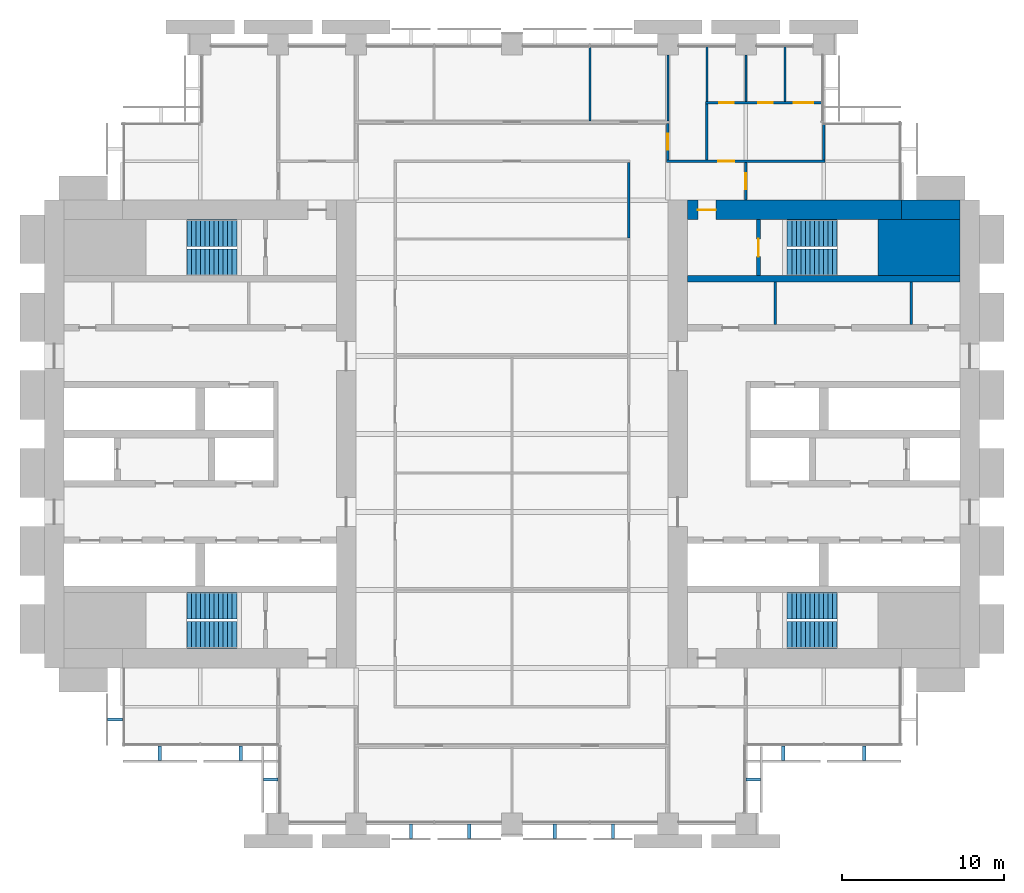
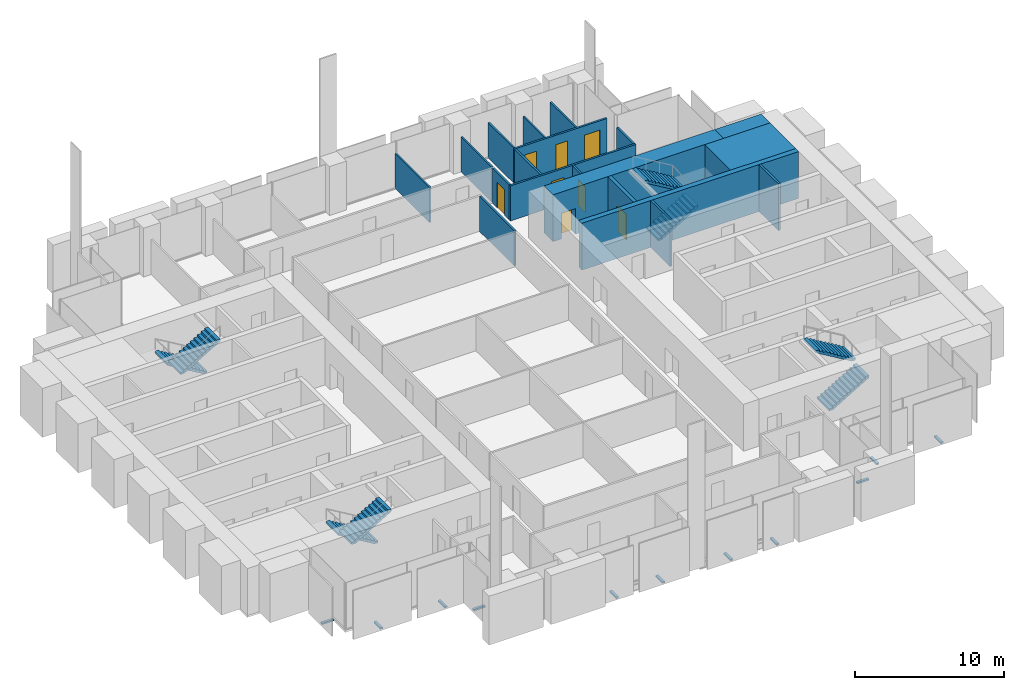
# One storey, part 12 of 14: 19 walls, 11 discrete accessories, 8 doors, 8 stair flights, 8 openings, 4 elements without a shape of their own.
"""IFC4 building model written with IfcOpenShell, lengths in metres."""

from ifc_helpers import new_model, si_unit, direction, frame, frame_2d, origin, origin_2d, place, context, subcontext, project, spatial, polyline, rectangle, outline, extrude, material, layer, layer_set, type_object, element, fill, aggregate, save


model = new_model("IFC4")

# Units and contexts
model_context = context("Model", 3, precision=1e-05, world=origin(), true_north=direction((0.0, 1.0)))
body_context = subcontext(model_context, "Body", "Model", "MODEL_VIEW")
ifc_project = project(units=[si_unit("LENGTHUNIT", "METRE"), si_unit("AREAUNIT", "SQUARE_METRE"), si_unit("VOLUMEUNIT", "CUBIC_METRE"), si_unit("PLANEANGLEUNIT", "RADIAN"), si_unit("MASSUNIT", "GRAM", prefix="KILO")], contexts=[model_context])

# Site, building, storey
site_placement = place(None, origin())
site = spatial("IfcSite", under=ifc_project, at=site_placement, CompositionType="ELEMENT")
building_placement = place(site_placement, origin())
building = spatial("IfcBuilding", under=site, at=building_placement, Name="Baori Bourse Tower", CompositionType="ELEMENT")
storey_placement = place(building_placement, frame((0.0, 0.0, 75.0)))
storey = spatial("IfcBuildingStorey", under=building, at=storey_placement, Name="L16", CompositionType="ELEMENT", Elevation=75.0)

# Walls
ifc_material_1 = material(Name="Concrete f'c 70 MPa", Category="concrete")
wall_type_1 = type_object("IfcWallType", Name="Core corner block f'c 70", PredefinedType="SHEAR", material=ifc_material_1)
wall_1_placement = place(storey_placement, frame((51.35009765625, 35.47509765625, 0.0), z_axis=(0.0, 0.0, 1.0), x_axis=(1.0, 0.0, 0.0)))
element("IfcWall", 1, at=wall_1_placement, inside=storey, type_object=wall_type_1, Name="Core wall E21", PredefinedType="SHEAR", context=body_context, shape_type="SweptSolid", body=[
    extrude(rectangle(XDim=5.0498046875, YDim=3.449951171875, at=frame_2d((2.52490234375, 0.0))), origin(), (0.0, 0.0, 1.0), 3.840087890625),
])
ifc_material_2 = material(Name="Blockwork partition", Category="masonry")
ifc_layer_1 = layer(ifc_material_2, 0.14990234375)
ifc_layer_set_1 = layer_set([ifc_layer_1], Name="Core partition 150")
wall_type_2 = type_object("IfcWallType", Name="Core partition 150", PredefinedType="PARTITIONING", material=ifc_layer_set_1)
for number, where, z_axis, x_axis, name in (
    (2, (53.39990234375, 30.75, 0.0), (0.0, 0.0, 1.0), (0.0, 1.0, 0.0), "Partition wall E18"),
    (3, (45.0, 30.75, 0.0), (0.0, 0.0, 1.0), (0.0, 1.0, 0.0), "Partition wall E19"),
):
    element("IfcWall", number, at=place(storey_placement, frame(where, z_axis=z_axis, x_axis=x_axis)), inside=storey, type_object=wall_type_2, Name=name, PredefinedType="PARTITIONING", context=body_context, shape_type="SweptSolid", body=[
        extrude(rectangle(XDim=2.60009765625, YDim=0.14990234375, at=frame_2d((1.300048828125, 0.0))), origin(), (0.0, 0.0, 1.0), 3.840087890625),
    ])
ifc_material_3 = material(Name="Concrete f'c 70 MPa", Category="concrete")
ifc_layer_2 = layer(ifc_material_3, 1.199951171875)
ifc_layer_set_2 = layer_set([ifc_layer_2], Name="Core wall 1200 f'c 70")
wall_type_3 = type_object("IfcWallType", Name="Core wall 1200 f'c 70", PredefinedType="SHEAR", material=ifc_layer_set_2)
wall_2_placement = place(storey_placement, frame((52.800048828125, 37.800048828125, 0.0), z_axis=(0.0, 0.0, 1.0), x_axis=(1.0, 0.0, 0.0)))
element("IfcWall", 4, at=wall_2_placement, inside=storey, type_object=wall_type_3, Name="Core wall E23", PredefinedType="SHEAR", context=body_context, shape_type="SweptSolid", body=[
    extrude(rectangle(XDim=3.599853515625, YDim=1.199951171875, at=frame_2d((1.7998046875, 0.0))), origin(), (0.0, 0.0, 1.0), 3.840087890625),
])

# Wall, opening, door
wall_3_placement = place(storey_placement, frame((39.60009765625, 37.800048828125, 0.0), z_axis=(0.0, 0.0, 1.0), x_axis=(1.0, 0.0, 0.0)))
wall_3 = element("IfcWall", 5, at=wall_3_placement, inside=storey, type_object=wall_type_3, Name="Core wall E24", PredefinedType="SHEAR", context=body_context, shape_type="SweptSolid", body=[
    extrude(rectangle(XDim=13.199951171875, YDim=1.199951171875, at=frame_2d((6.60009765625, 0.0))), origin(), (0.0, 0.0, 1.0), 3.840087890625),
])
opening_1_placement = place(wall_3_placement, frame((0.64990234375, 0.0, 0.0)))
opening_1 = element("IfcOpeningElement", 6, at=opening_1_placement, cuts=wall_3, Name="Opening L16-D204", PredefinedType="OPENING", context=body_context, shape_type="SweptSolid", body=[
    extrude(rectangle(XDim=1.10009765625, YDim=2.10009765625, at=frame_2d((0.550048828125, 1.050048828125))), frame((0.0, 0.60986328125, 0.0), z_axis=(0.0, -1.0, 0.0), x_axis=(1.0, 0.0, 0.0)), (0.0, 0.0, 1.0), 1.219970703125),
])
ifc_material_4 = material(Name="Painted steel door", Category="steel")
door_type_1 = type_object("IfcDoorType", Name="Stair door 1100", OperationType="SINGLE_SWING_LEFT", PredefinedType="DOOR", material=ifc_material_4)
door_1_placement = place(opening_1_placement, origin())
door_1 = element("IfcDoor", 7, at=door_1_placement, inside=storey, type_object=door_type_1, Name="Stair vestibule door B E L16", OperationType="SINGLE_SWING_LEFT", OverallHeight=2.10009765625, OverallWidth=1.10009765625, PredefinedType="DOOR", context=body_context, shape_type="SweptSolid", body=[
    extrude(rectangle(XDim=1.10009765625, YDim=2.10009765625, at=frame_2d((0.550048828125, 1.050048828125))), frame((0.0, 0.02490234375, 0.0), z_axis=(0.0, -1.0, 0.0), x_axis=(1.0, 0.0, 0.0)), (0.0, 0.0, 1.0), 0.050048828125),
])
fill(opening_1, door_1)

ifc_material_5 = material(Name="Gypsum board partition")
ifc_layer_3 = layer(ifc_material_5, 0.14990234375)
ifc_layer_set_3 = layer_set([ifc_layer_3], Name="Corridor partition 150")
wall_type_4 = type_object("IfcWallType", Name="Corridor partition 150", PredefinedType="PARTITIONING", material=ifc_layer_set_3)
wall_4_placement = place(storey_placement, frame((38.324951171875, 40.800048828125, 0.0), z_axis=(0.0, 0.0, 1.0), x_axis=(1.0, 0.0, 0.0)))
wall_4 = element("IfcWall", 8, at=wall_4_placement, inside=storey, type_object=wall_type_4, Name="Partition", PredefinedType="PARTITIONING", context=body_context, shape_type="SweptSolid", body=[
    extrude(rectangle(XDim=9.75, YDim=0.14990234375, at=frame_2d((4.875, 0.0))), origin(), (0.0, 0.0, 1.0), 2.86962890625),
])
opening_2_placement = place(wall_4_placement, frame((3.175048828125, 0.0, 0.0)))
opening_2 = element("IfcOpeningElement", 9, at=opening_2_placement, cuts=wall_4, Name="Opening L16-D07", PredefinedType="OPENING", context=body_context, shape_type="SweptSolid", body=[
    extrude(rectangle(XDim=1.0, YDim=2.10009765625, at=frame_2d((0.5, 1.050048828125))), frame((0.0, 0.0849609375, 0.0), z_axis=(0.0, -1.0, 0.0), x_axis=(1.0, 0.0, 0.0)), (0.0, 0.0, 1.0), 0.169921875),
])
ifc_material_6 = material(Name="Timber door leaf", Category="wood")
door_type_2 = type_object("IfcDoorType", Name="Door 1000 x 2100", OperationType="SINGLE_SWING_LEFT", PredefinedType="DOOR", material=ifc_material_6)
door_2_placement = place(opening_2_placement, origin())
door_2 = element("IfcDoor", 10, at=door_2_placement, inside=storey, type_object=door_type_2, Name="Door", OperationType="SINGLE_SWING_LEFT", OverallHeight=2.10009765625, OverallWidth=1.0, PredefinedType="DOOR", context=body_context, shape_type="SweptSolid", body=[
    extrude(rectangle(XDim=1.0, YDim=2.10009765625, at=frame_2d((0.5, 1.050048828125))), frame((0.0, 0.02490234375, 0.0), z_axis=(0.0, -1.0, 0.0), x_axis=(1.0, 0.0, 0.0)), (0.0, 0.0, 1.0), 0.050048828125),
])
fill(opening_2, door_2)

# Wall, openings, doors
wall_5_placement = place(storey_placement, frame((40.72509765625, 44.39990234375, 0.0), z_axis=(0.0, 0.0, 1.0), x_axis=(1.0, 0.0, 0.0)))
wall_5 = element("IfcWall", 11, at=wall_5_placement, inside=storey, type_object=wall_type_4, Name="Partition", PredefinedType="PARTITIONING", context=body_context, shape_type="SweptSolid", body=[
    extrude(rectangle(XDim=7.1748046875, YDim=0.14990234375, at=frame_2d((3.58740234375, 0.0))), origin(), (0.0, 0.0, 1.0), 2.86962890625),
])
opening_3_placement = place(wall_5_placement, frame((0.824951171875, 0.0, 0.0)))
opening_3 = element("IfcOpeningElement", 12, at=opening_3_placement, cuts=wall_5, Name="Opening L16-D11", PredefinedType="OPENING", context=body_context, shape_type="SweptSolid", body=[
    extrude(rectangle(XDim=0.89990234375, YDim=2.10009765625, at=frame_2d((0.449951171875, 1.050048828125))), frame((0.0, 0.0849609375, 0.0), z_axis=(0.0, -1.0, 0.0), x_axis=(1.0, 0.0, 0.0)), (0.0, 0.0, 1.0), 0.169921875),
])
opening_4_placement = place(wall_5_placement, frame((3.22509765625, 0.0, 0.0)))
opening_4 = element("IfcOpeningElement", 13, at=opening_4_placement, cuts=wall_5, Name="Opening L16-D12", PredefinedType="OPENING", context=body_context, shape_type="SweptSolid", body=[
    extrude(rectangle(XDim=0.89990234375, YDim=2.10009765625, at=frame_2d((0.449951171875, 1.050048828125))), frame((0.0, 0.0849609375, 0.0), z_axis=(0.0, -1.0, 0.0), x_axis=(1.0, 0.0, 0.0)), (0.0, 0.0, 1.0), 0.169921875),
])
opening_5_placement = place(wall_5_placement, frame((5.425048828125, 0.0, 0.0)))
opening_5 = element("IfcOpeningElement", 14, at=opening_5_placement, cuts=wall_5, Name="Opening L16-D13", PredefinedType="OPENING", context=body_context, shape_type="SweptSolid", body=[
    extrude(rectangle(XDim=1.199951171875, YDim=2.10009765625, at=frame_2d((0.60009765625, 1.050048828125))), frame((0.0, 0.0849609375, 0.0), z_axis=(0.0, -1.0, 0.0), x_axis=(1.0, 0.0, 0.0)), (0.0, 0.0, 1.0), 0.169921875),
])
ifc_material_7 = material(Name="Timber door leaf", Category="wood")
door_type_3 = type_object("IfcDoorType", Name="Door 1200 x 2100", OperationType="SINGLE_SWING_LEFT", PredefinedType="DOOR", material=ifc_material_7)
door_3_placement = place(opening_5_placement, origin())
door_3 = element("IfcDoor", 15, at=door_3_placement, inside=storey, type_object=door_type_3, Name="Door", OperationType="SINGLE_SWING_LEFT", OverallHeight=2.10009765625, OverallWidth=1.199951171875, PredefinedType="DOOR", context=body_context, shape_type="SweptSolid", body=[
    extrude(rectangle(XDim=1.199951171875, YDim=2.10009765625, at=frame_2d((0.60009765625, 1.050048828125))), frame((0.0, 0.02490234375, 0.0), z_axis=(0.0, -1.0, 0.0), x_axis=(1.0, 0.0, 0.0)), (0.0, 0.0, 1.0), 0.050048828125),
])
fill(opening_5, door_3)
ifc_material_8 = material(Name="Timber door leaf", Category="wood")
door_type_4 = type_object("IfcDoorType", Name="Door 900 x 2100", OperationType="SINGLE_SWING_LEFT", PredefinedType="DOOR", material=ifc_material_8)
door_4_placement = place(opening_3_placement, origin())
door_4 = element("IfcDoor", 16, at=door_4_placement, inside=storey, type_object=door_type_4, Name="Door", OperationType="SINGLE_SWING_RIGHT", OverallHeight=2.10009765625, OverallWidth=0.89990234375, PredefinedType="DOOR", context=body_context, shape_type="SweptSolid", body=[
    extrude(rectangle(XDim=0.89990234375, YDim=2.10009765625, at=frame_2d((0.449951171875, 1.050048828125))), frame((0.0, 0.02490234375, 0.0), z_axis=(0.0, -1.0, 0.0), x_axis=(1.0, 0.0, 0.0)), (0.0, 0.0, 1.0), 0.050048828125),
])
fill(opening_3, door_4)
door_5_placement = place(opening_4_placement, origin())
door_5 = element("IfcDoor", 17, at=door_5_placement, inside=storey, type_object=door_type_4, Name="Door", OperationType="SINGLE_SWING_LEFT", OverallHeight=2.10009765625, OverallWidth=0.89990234375, PredefinedType="DOOR", context=body_context, shape_type="SweptSolid", body=[
    extrude(rectangle(XDim=0.89990234375, YDim=2.10009765625, at=frame_2d((0.449951171875, 1.050048828125))), frame((0.0, 0.02490234375, 0.0), z_axis=(0.0, -1.0, 0.0), x_axis=(1.0, 0.0, 0.0)), (0.0, 0.0, 1.0), 0.050048828125),
])
fill(opening_4, door_5)

# Wall
wall_6_placement = place(storey_placement, frame((36.0, 36.0625, 0.0), z_axis=(0.0, 0.0, 1.0), x_axis=(0.0, 1.0, 0.0)))
element("IfcWall", 18, at=wall_6_placement, inside=storey, type_object=wall_type_4, Name="Partition", PredefinedType="PARTITIONING", context=body_context, shape_type="SweptSolid", body=[
    extrude(rectangle(XDim=4.66259765625, YDim=0.14990234375, at=frame_2d((2.331298828125, 0.0))), origin(), (0.0, 0.0, 1.0), 2.86962890625),
])

# Wall, opening, door
wall_7_placement = place(storey_placement, frame((38.39990234375, 40.875, 0.0), z_axis=(0.0, 0.0, 1.0), x_axis=(0.0, 1.0, 0.0)))
wall_7 = element("IfcWall", 19, at=wall_7_placement, inside=storey, type_object=wall_type_4, Name="Partition", PredefinedType="PARTITIONING", context=body_context, shape_type="SweptSolid", body=[
    extrude(rectangle(XDim=2.25, YDim=0.14990234375, at=frame_2d((1.125, 0.0))), origin(), (0.0, 0.0, 1.0), 2.86962890625),
])
opening_6_placement = place(wall_7_placement, frame((0.625, 0.0, 0.0)))
opening_6 = element("IfcOpeningElement", 20, at=opening_6_placement, cuts=wall_7, Name="Opening L16-D23", PredefinedType="OPENING", context=body_context, shape_type="SweptSolid", body=[
    extrude(rectangle(XDim=1.0, YDim=2.10009765625, at=frame_2d((0.5, 1.050048828125))), frame((0.0, 0.0849609375, 0.0), z_axis=(0.0, -1.0, 0.0), x_axis=(1.0, 0.0, 0.0)), (0.0, 0.0, 1.0), 0.169921875),
])
door_6_placement = place(opening_6_placement, origin())
door_6 = element("IfcDoor", 21, at=door_6_placement, inside=storey, type_object=door_type_2, Name="Door", OperationType="SINGLE_SWING_LEFT", OverallHeight=2.10009765625, OverallWidth=1.0, PredefinedType="DOOR", context=body_context, shape_type="SweptSolid", body=[
    extrude(rectangle(XDim=1.0, YDim=2.10009765625, at=frame_2d((0.5, 1.050048828125))), frame((0.0, 0.02490234375, 0.0), z_axis=(0.0, -1.0, 0.0), x_axis=(1.0, 0.0, 0.0)), (0.0, 0.0, 1.0), 0.050048828125),
])
fill(opening_6, door_6)

# Wall
wall_8_placement = place(storey_placement, frame((40.800048828125, 40.875, 0.0), z_axis=(0.0, 0.0, 1.0), x_axis=(0.0, 1.0, 0.0)))
element("IfcWall", 22, at=wall_8_placement, inside=storey, type_object=wall_type_4, Name="Partition", PredefinedType="PARTITIONING", context=body_context, shape_type="SweptSolid", body=[
    extrude(rectangle(XDim=3.449951171875, YDim=0.14990234375, at=frame_2d((1.72509765625, 0.0))), origin(), (0.0, 0.0, 1.0), 2.86962890625),
])

# Wall, opening, door
wall_9_placement = place(storey_placement, frame((43.199951171875, 38.39990234375, 0.0), z_axis=(0.0, 0.0, 1.0), x_axis=(0.0, 1.0, 0.0)))
wall_9 = element("IfcWall", 23, at=wall_9_placement, inside=storey, type_object=wall_type_4, Name="Partition", PredefinedType="PARTITIONING", context=body_context, shape_type="SweptSolid", body=[
    extrude(rectangle(XDim=2.3251953125, YDim=0.14990234375, at=frame_2d((1.16259765625, 0.0))), origin(), (0.0, 0.0, 1.0), 2.86962890625),
])
opening_7_placement = place(wall_9_placement, frame((0.66259765625, 0.0, 0.0)))
opening_7 = element("IfcOpeningElement", 24, at=opening_7_placement, cuts=wall_9, Name="Opening L16-D25", PredefinedType="OPENING", context=body_context, shape_type="SweptSolid", body=[
    extrude(rectangle(XDim=1.0, YDim=2.10009765625, at=frame_2d((0.5, 1.050048828125))), frame((0.0, 0.0849609375, 0.0), z_axis=(0.0, -1.0, 0.0), x_axis=(1.0, 0.0, 0.0)), (0.0, 0.0, 1.0), 0.169921875),
])
door_7_placement = place(opening_7_placement, origin())
door_7 = element("IfcDoor", 25, at=door_7_placement, inside=storey, type_object=door_type_2, Name="Door", OperationType="SINGLE_SWING_LEFT", OverallHeight=2.10009765625, OverallWidth=1.0, PredefinedType="DOOR", context=body_context, shape_type="SweptSolid", body=[
    extrude(rectangle(XDim=1.0, YDim=2.10009765625, at=frame_2d((0.5, 1.050048828125))), frame((0.0, 0.02490234375, 0.0), z_axis=(0.0, -1.0, 0.0), x_axis=(1.0, 0.0, 0.0)), (0.0, 0.0, 1.0), 0.050048828125),
])
fill(opening_7, door_7)

# Walls
wall_10_placement = place(storey_placement, frame((48.0, 40.875, 0.0), z_axis=(0.0, 0.0, 1.0), x_axis=(0.0, 1.0, 0.0)))
element("IfcWall", 26, at=wall_10_placement, inside=storey, type_object=wall_type_4, Name="Partition", PredefinedType="PARTITIONING", context=body_context, shape_type="SweptSolid", body=[
    extrude(rectangle(XDim=2.22509765625, YDim=0.14990234375, at=frame_2d((1.112548828125, 0.0))), origin(), (0.0, 0.0, 1.0), 2.86962890625),
])
ifc_material_9 = material(Name="Gypsum board partition")
ifc_layer_4 = layer(ifc_material_9, 0.125)
ifc_layer_set_4 = layer_set([ifc_layer_4], Name="Partition 125")
wall_type_5 = type_object("IfcWallType", Name="Partition 125", PredefinedType="PARTITIONING", material=ifc_layer_set_4)
wall_11_placement = place(storey_placement, frame((33.60009765625, 43.27490234375, 0.0), z_axis=(0.0, 0.0, 1.0), x_axis=(0.0, 1.0, 0.0)))
element("IfcWall", 27, at=wall_11_placement, inside=storey, type_object=wall_type_5, Name="Partition", PredefinedType="PARTITIONING", context=body_context, shape_type="SweptSolid", body=[
    extrude(rectangle(XDim=4.625, YDim=0.125, at=frame_2d((2.3125, 0.0))), origin(), (0.0, 0.0, 1.0), 2.86962890625),
])
wall_12_placement = place(storey_placement, frame((38.39990234375, 43.27490234375, 0.0), z_axis=(0.0, 0.0, 1.0), x_axis=(0.0, 1.0, 0.0)))
element("IfcWall", 28, at=wall_12_placement, inside=storey, type_object=wall_type_5, Name="Partition", PredefinedType="PARTITIONING", context=body_context, shape_type="SweptSolid", body=[
    extrude(rectangle(XDim=4.0751953125, YDim=0.125, at=frame_2d((2.03759765625, 0.0))), origin(), (0.0, 0.0, 1.0), 2.86962890625),
])
wall_13_placement = place(storey_placement, frame((40.800048828125, 44.47509765625, 0.0), z_axis=(0.0, 0.0, 1.0), x_axis=(0.0, 1.0, 0.0)))
element("IfcWall", 29, at=wall_13_placement, inside=storey, type_object=wall_type_5, Name="Partition", PredefinedType="PARTITIONING", context=body_context, shape_type="SweptSolid", body=[
    extrude(rectangle(XDim=3.4248046875, YDim=0.125, at=frame_2d((1.71240234375, 0.0))), origin(), (0.0, 0.0, 1.0), 2.86962890625),
])
wall_14_placement = place(storey_placement, frame((43.199951171875, 44.47509765625, 0.0), z_axis=(0.0, 0.0, 1.0), x_axis=(0.0, 1.0, 0.0)))
element("IfcWall", 30, at=wall_14_placement, inside=storey, type_object=wall_type_5, Name="Partition", PredefinedType="PARTITIONING", context=body_context, shape_type="SweptSolid", body=[
    extrude(rectangle(XDim=2.875, YDim=0.125, at=frame_2d((1.4375, 0.0))), origin(), (0.0, 0.0, 1.0), 2.86962890625),
])
wall_15_placement = place(storey_placement, frame((45.60009765625, 44.47509765625, 0.0), z_axis=(0.0, 0.0, 1.0), x_axis=(0.0, 1.0, 0.0)))
element("IfcWall", 31, at=wall_15_placement, inside=storey, type_object=wall_type_5, Name="Partition", PredefinedType="PARTITIONING", context=body_context, shape_type="SweptSolid", body=[
    extrude(rectangle(XDim=3.4248046875, YDim=0.125, at=frame_2d((1.71240234375, 0.0))), origin(), (0.0, 0.0, 1.0), 2.86962890625),
])

# Wall, opening, door
ifc_material_10 = material(Name="Concrete f'c 70 MPa", Category="concrete")
ifc_layer_5 = layer(ifc_material_10, 0.25)
ifc_layer_set_5 = layer_set([ifc_layer_5], Name="Shaft wall 250 f'c 70")
wall_type_6 = type_object("IfcWallType", Name="Shaft wall 250 f'c 70", PredefinedType="SHEAR", material=ifc_layer_set_5)
wall_16_placement = place(storey_placement, frame((43.97509765625, 33.75, 0.0), z_axis=(0.0, 0.0, 1.0), x_axis=(0.0, 1.0, 0.0)))
wall_16 = element("IfcWall", 32, at=wall_16_placement, inside=storey, type_object=wall_type_6, Name="Core wall E22", PredefinedType="SHEAR", context=body_context, shape_type="SweptSolid", body=[
    extrude(rectangle(XDim=3.449951171875, YDim=0.25, at=frame_2d((1.72509765625, 0.0))), origin(), (0.0, 0.0, 1.0), 3.840087890625),
])
opening_8_placement = place(wall_16_placement, frame((1.175048828125, 0.0, 0.0)))
opening_8 = element("IfcOpeningElement", 33, at=opening_8_placement, cuts=wall_16, Name="Opening L16-D203", PredefinedType="OPENING", context=body_context, shape_type="SweptSolid", body=[
    extrude(rectangle(XDim=1.10009765625, YDim=2.10009765625, at=frame_2d((0.550048828125, 1.050048828125))), frame((0.0, 0.135009765625, 0.0), z_axis=(0.0, -1.0, 0.0), x_axis=(1.0, 0.0, 0.0)), (0.0, 0.0, 1.0), 0.27001953125),
])
door_8_placement = place(opening_8_placement, origin())
door_8 = element("IfcDoor", 34, at=door_8_placement, inside=storey, type_object=door_type_1, Name="Stair door B E L16", OperationType="SINGLE_SWING_LEFT", OverallHeight=2.10009765625, OverallWidth=1.10009765625, PredefinedType="DOOR", context=body_context, shape_type="SweptSolid", body=[
    extrude(rectangle(XDim=1.10009765625, YDim=2.10009765625, at=frame_2d((0.550048828125, 1.050048828125))), frame((0.0, 0.02490234375, 0.0), z_axis=(0.0, -1.0, 0.0), x_axis=(1.0, 0.0, 0.0)), (0.0, 0.0, 1.0), 0.050048828125),
])
fill(opening_8, door_8)

# Wall
ifc_material_11 = material(Name="Concrete f'c 70 MPa", Category="concrete")
ifc_layer_6 = layer(ifc_material_11, 0.39990234375)
ifc_layer_set_6 = layer_set([ifc_layer_6], Name="Shaft wall 400 f'c 70")
wall_type_7 = type_object("IfcWallType", Name="Shaft wall 400 f'c 70", PredefinedType="SHEAR", material=ifc_layer_set_6)
wall_17_placement = place(storey_placement, frame((39.60009765625, 33.550048828125, 0.0), z_axis=(0.0, 0.0, 1.0), x_axis=(1.0, 0.0, 0.0)))
element("IfcWall", 35, at=wall_17_placement, inside=storey, type_object=wall_type_7, Name="Core wall E20", PredefinedType="SHEAR", context=body_context, shape_type="SweptSolid", body=[
    extrude(rectangle(XDim=16.7998046875, YDim=0.39990234375, at=frame_2d((8.39990234375, 0.0))), origin(), (0.0, 0.0, 1.0), 3.840087890625),
])

# Stair, stair flights
ifc_material_12 = material(Name="Concrete f'c 50 MPa", Category="concrete")
stair_type = type_object("IfcStairType", Name="Core stair", PredefinedType="HALF_TURN_STAIR", material=ifc_material_12)
stair_1_placement = place(storey_placement, origin())
stair_1 = element("IfcStair", 36, at=stair_1_placement, inside=storey, type_object=stair_type, Name="L16 Stair WA", PredefinedType="HALF_TURN_STAIR")
ifc_material_13 = material(Name="Concrete f'c 50 MPa", Category="concrete")
stair_flight_type = type_object("IfcStairFlightType", Name="Core stair flight", PredefinedType="STRAIGHT", material=ifc_material_13)
stair_flight_1_placement = place(storey_placement, frame((11.85009765625, 13.425048828125, 0.0), z_axis=(0.0, 0.0, 1.0), x_axis=(-1.0, 0.0, 0.0)))
stair_flight_1 = element("IfcStairFlight", 37, at=stair_flight_1_placement, type_object=stair_flight_type, Name="ST1 flight 1", NumberOfRisers=12, NumberOfTreads=11, PredefinedType="STRAIGHT", RiserHeight=0.166666667, TreadLength=0.28, context=body_context, shape_type="SweptSolid", body=[
    extrude(outline(polyline([(0.0, 0.0), (0.0, 0.166748046875), (0.280029296875, 0.166748046875), (0.280029296875, 0.333251953125), (0.56005859375, 0.333251953125), (0.56005859375, 0.5), (0.840087890625, 0.5), (0.840087890625, 0.666748046875), (1.1201171875, 0.666748046875), (1.1201171875, 0.833251953125), (1.39990234375, 0.833251953125), (1.39990234375, 1.0), (1.679931640625, 1.0), (1.679931640625, 1.166748046875), (1.9599609375, 1.166748046875), (1.9599609375, 1.333251953125), (2.239990234375, 1.333251953125), (2.239990234375, 1.5), (2.52001953125, 1.5), (2.52001953125, 1.666748046875), (2.800048828125, 1.666748046875), (2.800048828125, 1.833251953125), (3.080078125, 1.833251953125), (3.080078125, 2.0), (3.080078125, 1.658935546875), (0.29296875, 0.0), (0.0, 0.0)])), frame((0.0, 0.824951171875, 0.0), z_axis=(0.0, -1.0, 0.0), x_axis=(1.0, 0.0, 0.0)), (0.0, 0.0, 1.0), 1.64990234375),
])
stair_flight_2_placement = place(storey_placement, frame((8.77001953125, 11.625, 2.0), z_axis=(0.0, 0.0, 1.0), x_axis=(1.0, 0.0, 0.0)))
stair_flight_2 = element("IfcStairFlight", 38, at=stair_flight_2_placement, type_object=stair_flight_type, Name="ST1 flight 2", NumberOfRisers=12, NumberOfTreads=11, PredefinedType="STRAIGHT", RiserHeight=0.166666667, TreadLength=0.28, context=body_context, shape_type="SweptSolid", body=[
    extrude(outline(polyline([(0.0, 0.0), (0.0, 0.166748046875), (0.280029296875, 0.166748046875), (0.280029296875, 0.333251953125), (0.56005859375, 0.333251953125), (0.56005859375, 0.5), (0.840087890625, 0.5), (0.840087890625, 0.666748046875), (1.1201171875, 0.666748046875), (1.1201171875, 0.833251953125), (1.39990234375, 0.833251953125), (1.39990234375, 1.0), (1.679931640625, 1.0), (1.679931640625, 1.166748046875), (1.9599609375, 1.166748046875), (1.9599609375, 1.333251953125), (2.239990234375, 1.333251953125), (2.239990234375, 1.5), (2.52001953125, 1.5), (2.52001953125, 1.666748046875), (2.800048828125, 1.666748046875), (2.800048828125, 1.833251953125), (3.080078125, 1.833251953125), (3.080078125, 2.0), (3.080078125, 1.658935546875), (0.29296875, 0.0), (0.0, 0.0)])), frame((0.0, 0.824951171875, 0.0), z_axis=(0.0, -1.0, 0.0), x_axis=(1.0, 0.0, 0.0)), (0.0, 0.0, 1.0), 1.64990234375),
])
aggregate(stair_1, [stair_flight_1, stair_flight_2])

stair_2_placement = place(storey_placement, origin())
stair_2 = element("IfcStair", 39, at=stair_2_placement, inside=storey, type_object=stair_type, Name="L16 Stair WB", PredefinedType="HALF_TURN_STAIR")
stair_flight_3_placement = place(storey_placement, frame((11.85009765625, 36.375, 0.0), z_axis=(0.0, 0.0, 1.0), x_axis=(-1.0, 0.0, 0.0)))
stair_flight_3 = element("IfcStairFlight", 40, at=stair_flight_3_placement, type_object=stair_flight_type, Name="ST2 flight 1", NumberOfRisers=12, NumberOfTreads=11, PredefinedType="STRAIGHT", RiserHeight=0.166666667, TreadLength=0.28, context=body_context, shape_type="SweptSolid", body=[
    extrude(outline(polyline([(0.0, 0.0), (0.0, 0.166748046875), (0.280029296875, 0.166748046875), (0.280029296875, 0.333251953125), (0.56005859375, 0.333251953125), (0.56005859375, 0.5), (0.840087890625, 0.5), (0.840087890625, 0.666748046875), (1.1201171875, 0.666748046875), (1.1201171875, 0.833251953125), (1.39990234375, 0.833251953125), (1.39990234375, 1.0), (1.679931640625, 1.0), (1.679931640625, 1.166748046875), (1.9599609375, 1.166748046875), (1.9599609375, 1.333251953125), (2.239990234375, 1.333251953125), (2.239990234375, 1.5), (2.52001953125, 1.5), (2.52001953125, 1.666748046875), (2.800048828125, 1.666748046875), (2.800048828125, 1.833251953125), (3.080078125, 1.833251953125), (3.080078125, 2.0), (3.080078125, 1.658935546875), (0.29296875, 0.0), (0.0, 0.0)])), frame((0.0, 0.824951171875, 0.0), z_axis=(0.0, -1.0, 0.0), x_axis=(1.0, 0.0, 0.0)), (0.0, 0.0, 1.0), 1.64990234375),
])
stair_flight_4_placement = place(storey_placement, frame((8.77001953125, 34.574951171875, 2.0), z_axis=(0.0, 0.0, 1.0), x_axis=(1.0, 0.0, 0.0)))
stair_flight_4 = element("IfcStairFlight", 41, at=stair_flight_4_placement, type_object=stair_flight_type, Name="ST2 flight 2", NumberOfRisers=12, NumberOfTreads=11, PredefinedType="STRAIGHT", RiserHeight=0.166666667, TreadLength=0.28, context=body_context, shape_type="SweptSolid", body=[
    extrude(outline(polyline([(0.0, 0.0), (0.0, 0.166748046875), (0.280029296875, 0.166748046875), (0.280029296875, 0.333251953125), (0.56005859375, 0.333251953125), (0.56005859375, 0.5), (0.840087890625, 0.5), (0.840087890625, 0.666748046875), (1.1201171875, 0.666748046875), (1.1201171875, 0.833251953125), (1.39990234375, 0.833251953125), (1.39990234375, 1.0), (1.679931640625, 1.0), (1.679931640625, 1.166748046875), (1.9599609375, 1.166748046875), (1.9599609375, 1.333251953125), (2.239990234375, 1.333251953125), (2.239990234375, 1.5), (2.52001953125, 1.5), (2.52001953125, 1.666748046875), (2.800048828125, 1.666748046875), (2.800048828125, 1.833251953125), (3.080078125, 1.833251953125), (3.080078125, 2.0), (3.080078125, 1.658935546875), (0.29296875, 0.0), (0.0, 0.0)])), frame((0.0, 0.824951171875, 0.0), z_axis=(0.0, -1.0, 0.0), x_axis=(1.0, 0.0, 0.0)), (0.0, 0.0, 1.0), 1.64990234375),
])
aggregate(stair_2, [stair_flight_3, stair_flight_4])

stair_3_placement = place(storey_placement, origin())
stair_3 = element("IfcStair", 42, at=stair_3_placement, inside=storey, type_object=stair_type, Name="L16 Stair EA", PredefinedType="HALF_TURN_STAIR")
stair_flight_5_placement = place(storey_placement, frame((45.75, 11.625, 0.0), z_axis=(0.0, 0.0, 1.0), x_axis=(1.0, 0.0, 0.0)))
stair_flight_5 = element("IfcStairFlight", 43, at=stair_flight_5_placement, type_object=stair_flight_type, Name="ST3 flight 1", NumberOfRisers=12, NumberOfTreads=11, PredefinedType="STRAIGHT", RiserHeight=0.166666667, TreadLength=0.28, context=body_context, shape_type="SweptSolid", body=[
    extrude(outline(polyline([(0.0, 0.0), (0.0, 0.166748046875), (0.280029296875, 0.166748046875), (0.280029296875, 0.333251953125), (0.56005859375, 0.333251953125), (0.56005859375, 0.5), (0.840087890625, 0.5), (0.840087890625, 0.666748046875), (1.1201171875, 0.666748046875), (1.1201171875, 0.833251953125), (1.39990234375, 0.833251953125), (1.39990234375, 1.0), (1.679931640625, 1.0), (1.679931640625, 1.166748046875), (1.9599609375, 1.166748046875), (1.9599609375, 1.333251953125), (2.239990234375, 1.333251953125), (2.239990234375, 1.5), (2.52001953125, 1.5), (2.52001953125, 1.666748046875), (2.800048828125, 1.666748046875), (2.800048828125, 1.833251953125), (3.080078125, 1.833251953125), (3.080078125, 2.0), (3.080078125, 1.658935546875), (0.29296875, 0.0), (0.0, 0.0)])), frame((0.0, 0.824951171875, 0.0), z_axis=(0.0, -1.0, 0.0), x_axis=(1.0, 0.0, 0.0)), (0.0, 0.0, 1.0), 1.64990234375),
])
stair_flight_6_placement = place(storey_placement, frame((48.830078125, 13.425048828125, 2.0), z_axis=(0.0, 0.0, 1.0), x_axis=(-1.0, 0.0, 0.0)))
stair_flight_6 = element("IfcStairFlight", 44, at=stair_flight_6_placement, type_object=stair_flight_type, Name="ST3 flight 2", NumberOfRisers=12, NumberOfTreads=11, PredefinedType="STRAIGHT", RiserHeight=0.166666667, TreadLength=0.28, context=body_context, shape_type="SweptSolid", body=[
    extrude(outline(polyline([(0.0, 0.0), (0.0, 0.166748046875), (0.280029296875, 0.166748046875), (0.280029296875, 0.333251953125), (0.56005859375, 0.333251953125), (0.56005859375, 0.5), (0.840087890625, 0.5), (0.840087890625, 0.666748046875), (1.1201171875, 0.666748046875), (1.1201171875, 0.833251953125), (1.39990234375, 0.833251953125), (1.39990234375, 1.0), (1.679931640625, 1.0), (1.679931640625, 1.166748046875), (1.9599609375, 1.166748046875), (1.9599609375, 1.333251953125), (2.239990234375, 1.333251953125), (2.239990234375, 1.5), (2.52001953125, 1.5), (2.52001953125, 1.666748046875), (2.800048828125, 1.666748046875), (2.800048828125, 1.833251953125), (3.080078125, 1.833251953125), (3.080078125, 2.0), (3.080078125, 1.658935546875), (0.29296875, 0.0), (0.0, 0.0)])), frame((0.0, 0.824951171875, 0.0), z_axis=(0.0, -1.0, 0.0), x_axis=(1.0, 0.0, 0.0)), (0.0, 0.0, 1.0), 1.64990234375),
])
aggregate(stair_3, [stair_flight_5, stair_flight_6])

stair_4_placement = place(storey_placement, origin())
stair_4 = element("IfcStair", 45, at=stair_4_placement, inside=storey, type_object=stair_type, Name="L16 Stair EB", PredefinedType="HALF_TURN_STAIR")
stair_flight_7_placement = place(storey_placement, frame((45.75, 34.574951171875, 0.0), z_axis=(0.0, 0.0, 1.0), x_axis=(1.0, 0.0, 0.0)))
stair_flight_7 = element("IfcStairFlight", 46, at=stair_flight_7_placement, type_object=stair_flight_type, Name="ST4 flight 1", NumberOfRisers=12, NumberOfTreads=11, PredefinedType="STRAIGHT", RiserHeight=0.166666667, TreadLength=0.28, context=body_context, shape_type="SweptSolid", body=[
    extrude(outline(polyline([(0.0, 0.0), (0.0, 0.166748046875), (0.280029296875, 0.166748046875), (0.280029296875, 0.333251953125), (0.56005859375, 0.333251953125), (0.56005859375, 0.5), (0.840087890625, 0.5), (0.840087890625, 0.666748046875), (1.1201171875, 0.666748046875), (1.1201171875, 0.833251953125), (1.39990234375, 0.833251953125), (1.39990234375, 1.0), (1.679931640625, 1.0), (1.679931640625, 1.166748046875), (1.9599609375, 1.166748046875), (1.9599609375, 1.333251953125), (2.239990234375, 1.333251953125), (2.239990234375, 1.5), (2.52001953125, 1.5), (2.52001953125, 1.666748046875), (2.800048828125, 1.666748046875), (2.800048828125, 1.833251953125), (3.080078125, 1.833251953125), (3.080078125, 2.0), (3.080078125, 1.658935546875), (0.29296875, 0.0), (0.0, 0.0)])), frame((0.0, 0.824951171875, 0.0), z_axis=(0.0, -1.0, 0.0), x_axis=(1.0, 0.0, 0.0)), (0.0, 0.0, 1.0), 1.64990234375),
])
stair_flight_8_placement = place(storey_placement, frame((48.830078125, 36.375, 2.0), z_axis=(0.0, 0.0, 1.0), x_axis=(-1.0, 0.0, 0.0)))
stair_flight_8 = element("IfcStairFlight", 47, at=stair_flight_8_placement, type_object=stair_flight_type, Name="ST4 flight 2", NumberOfRisers=12, NumberOfTreads=11, PredefinedType="STRAIGHT", RiserHeight=0.166666667, TreadLength=0.28, context=body_context, shape_type="SweptSolid", body=[
    extrude(outline(polyline([(0.0, 0.0), (0.0, 0.166748046875), (0.280029296875, 0.166748046875), (0.280029296875, 0.333251953125), (0.56005859375, 0.333251953125), (0.56005859375, 0.5), (0.840087890625, 0.5), (0.840087890625, 0.666748046875), (1.1201171875, 0.666748046875), (1.1201171875, 0.833251953125), (1.39990234375, 0.833251953125), (1.39990234375, 1.0), (1.679931640625, 1.0), (1.679931640625, 1.166748046875), (1.9599609375, 1.166748046875), (1.9599609375, 1.333251953125), (2.239990234375, 1.333251953125), (2.239990234375, 1.5), (2.52001953125, 1.5), (2.52001953125, 1.666748046875), (2.800048828125, 1.666748046875), (2.800048828125, 1.833251953125), (3.080078125, 1.833251953125), (3.080078125, 2.0), (3.080078125, 1.658935546875), (0.29296875, 0.0), (0.0, 0.0)])), frame((0.0, 0.824951171875, 0.0), z_axis=(0.0, -1.0, 0.0), x_axis=(1.0, 0.0, 0.0)), (0.0, 0.0, 1.0), 1.64990234375),
])
aggregate(stair_4, [stair_flight_7, stair_flight_8])

# Discrete accessories
ifc_material_14 = material(Name="Pale anodised aluminium", Category="aluminium")
discrete_accessory_type = type_object("IfcDiscreteAccessoryType", Name="OS2 Outer skin bracket", PredefinedType="BRACKET", material=ifc_material_14)
for number, where, z_axis, x_axis, name in (
    (48, (4.35009765625, 6.425048828125, -0.14404296875), (0.0, 0.0, 1.0), (0.0, -1.0, 0.0), "Outer skin bracket L16 11"),
    (49, (7.112548828125, 4.35009765625, -0.14404296875), (0.0, 0.0, 1.0), (1.0, 0.0, 0.0), "Outer skin bracket L16 12"),
    (50, (12.08740234375, 4.35009765625, -0.14404296875), (0.0, 0.0, 1.0), (1.0, 0.0, 0.0), "Outer skin bracket L16 13"),
    (51, (13.949951171875, 2.72509765625, -0.14404296875), (0.0, 0.0, 1.0), (0.0, -1.0, 0.0), "Outer skin bracket L16 14"),
    (52, (22.58740234375, -0.449951171875, -0.14404296875), (0.0, 0.0, 1.0), (1.0, 0.0, 0.0), "Outer skin bracket L16 15"),
    (53, (26.16259765625, -0.449951171875, -0.14404296875), (0.0, 0.0, 1.0), (1.0, 0.0, 0.0), "Outer skin bracket L16 16"),
    (54, (31.4375, -0.449951171875, -0.14404296875), (0.0, 0.0, 1.0), (1.0, 0.0, 0.0), "Outer skin bracket L16 17"),
    (55, (35.012451171875, -0.449951171875, -0.14404296875), (0.0, 0.0, 1.0), (1.0, 0.0, 0.0), "Outer skin bracket L16 18"),
    (56, (43.64990234375, 2.72509765625, -0.14404296875), (0.0, 0.0, 1.0), (0.0, 1.0, 0.0), "Outer skin bracket L16 19"),
    (57, (45.512451171875, 4.35009765625, -0.14404296875), (0.0, 0.0, 1.0), (1.0, 0.0, 0.0), "Outer skin bracket L16 20"),
    (58, (50.487548828125, 4.35009765625, -0.14404296875), (0.0, 0.0, 1.0), (1.0, 0.0, 0.0), "Outer skin bracket L16 21"),
):
    element("IfcDiscreteAccessory", number, at=place(storey_placement, frame(where, z_axis=z_axis, x_axis=x_axis)), inside=storey, type_object=discrete_accessory_type, Name=name, PredefinedType="BRACKET", context=body_context, shape_type="SweptSolid", body=[
        extrude(rectangle(XDim=0.199951171875, YDim=0.89990234375, at=origin_2d()), origin(), (0.0, 0.0, 1.0), 0.1279296875),
    ])

save(model, "model.ifc")
